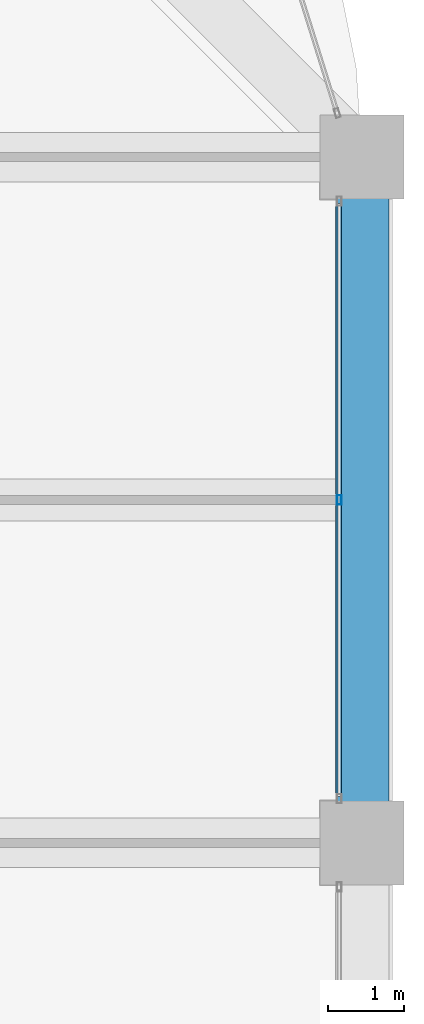
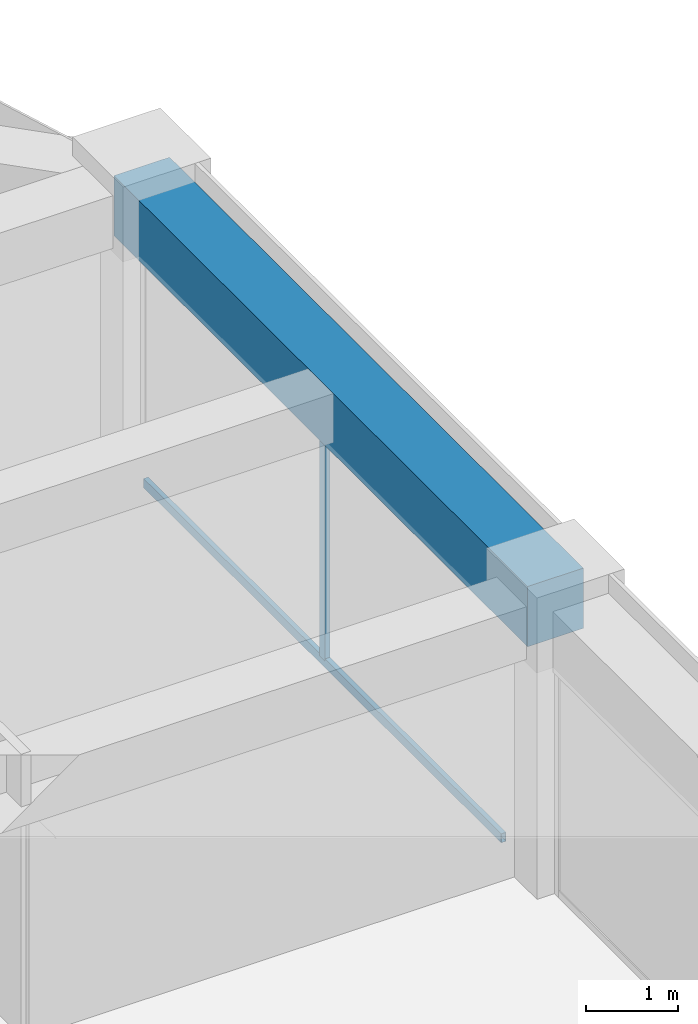
# One storey, part 27 of 44: 2 members, 1 beam, 1 element without a shape of its own.
"""IFC4 building model written with IfcOpenShell, lengths in metres."""

from ifc_helpers import new_model, si_unit, direction, frame, origin, origin_2d, place, context, subcontext, project, spatial, rectangle, hollow_rectangle, extrude, material, material_profile, profile_set, type_object, element, aggregate, save


model = new_model("IFC4")

# Units and contexts
model_context = context("Model", 3, precision=1e-05, world=origin(), true_north=direction((0.0, 1.0)))
body_context = subcontext(model_context, "Body", "Model", "MODEL_VIEW")
ifc_project = project(units=[si_unit("LENGTHUNIT", "METRE"), si_unit("AREAUNIT", "SQUARE_METRE"), si_unit("VOLUMEUNIT", "CUBIC_METRE"), si_unit("PLANEANGLEUNIT", "RADIAN"), si_unit("MASSUNIT", "GRAM", prefix="KILO")], contexts=[model_context])

# Site, building, storey
site_placement = place(None, origin())
site = spatial("IfcSite", under=ifc_project, at=site_placement, CompositionType="ELEMENT")
building_placement = place(site_placement, origin())
building = spatial("IfcBuilding", under=site, at=building_placement, Name="Zorevar Civic Tower", CompositionType="ELEMENT")
storey_placement = place(building_placement, frame((0.0, 0.0, 295.39990234375)))
storey = spatial("IfcBuildingStorey", under=building, at=storey_placement, Name="L72", CompositionType="ELEMENT", Elevation=295.39990234375)

# Curtain wall, members
ifc_material_1 = material(Name="Dark grey solar-control glass in black aluminium frame", Category="aluminium")
curtain_wall_type = type_object("IfcCurtainWallType", Name="Curtain wall CW5 top zone", PredefinedType="NOTDEFINED", material=ifc_material_1)
curtain_wall_placement = place(storey_placement, origin())
curtain_wall = element("IfcCurtainWall", 1, at=curtain_wall_placement, inside=storey, type_object=curtain_wall_type, Name="CW5 L72", PredefinedType="NOTDEFINED")
ifc_material_2 = material(Name="Aluminium, black anodised", Category="aluminium")
ifc_material_profile_1 = material_profile(ifc_material_2, hollow_rectangle(XDim=0.06005859375, YDim=0.1201171875, WallThickness=0.0029296875, at=origin_2d()), Name="AL 120x60x3")
ifc_profile_set_1 = profile_set([ifc_material_profile_1], Name="Aluminium, black anodised")
member_type_1 = type_object("IfcMemberType", Name="CW5 mullion AL 120x60x3", PredefinedType="MULLION", material=ifc_profile_set_1)
member_1_placement = place(storey_placement, frame((53.699951171875, 31.5, 0.06005859375), z_axis=(0.0, 0.0, 1.0), x_axis=(-1.0, 0.0, 0.0)))
member_1 = element("IfcMember", 2, at=member_1_placement, type_object=member_type_1, Name="CW5 mullion 2", PredefinedType="MULLION", context=body_context, shape_type="SweptSolid", body=[
    extrude(hollow_rectangle(XDim=0.06005859375, YDim=0.1201171875, WallThickness=0.0029296875, at=origin_2d()), origin(), (0.0, 0.0, 1.0), 2.89013671875),
])
ifc_material_3 = material(Name="Aluminium, black anodised", Category="aluminium")
ifc_material_profile_2 = material_profile(ifc_material_3, hollow_rectangle(XDim=0.06005859375, YDim=0.1201171875, WallThickness=0.0029296875, at=origin_2d()), Name="AL 120x60x3")
ifc_profile_set_2 = profile_set([ifc_material_profile_2], Name="Aluminium, black anodised")
member_type_2 = type_object("IfcMemberType", Name="CW5 transom AL 120x60x3", PredefinedType="USERDEFINED", material=ifc_profile_set_2)
member_2_placement = place(storey_placement, frame((53.699951171875, 27.610107421875, 0.030029296875), z_axis=(0.0, 1.0, 0.0), x_axis=(-1.0, 0.0, 0.0)))
member_2 = element("IfcMember", 3, at=member_2_placement, type_object=member_type_2, Name="CW5 sill transom", ObjectType="TRANSOM", PredefinedType="USERDEFINED", context=body_context, shape_type="SweptSolid", body=[
    extrude(hollow_rectangle(XDim=0.06005859375, YDim=0.1201171875, WallThickness=0.0029296875, at=origin_2d()), origin(), (0.0, 0.0, 1.0), 7.77978515625),
])
aggregate(curtain_wall, [member_1, member_2])

# Beam
ifc_material_4 = material(Name="Concrete C50/60", Category="concrete")
ifc_material_profile_3 = material_profile(ifc_material_4, rectangle(XDim=0.699951171875, YDim=0.800048828125, at=origin_2d()), Name="RC 700x800")
ifc_profile_set_3 = profile_set([ifc_material_profile_3], Name="Concrete C50/60")
beam_type = type_object("IfcBeamType", Name="Edge beam RC 700x800", PredefinedType="SPANDREL", material=ifc_profile_set_3)
beam_placement = place(storey_placement, frame((54.0, 27.0, 3.35009765625), z_axis=(0.0, 1.0, 0.0), x_axis=(-1.0, 0.0, 0.0)))
element("IfcBeam", 4, at=beam_placement, inside=storey, type_object=beam_type, Name="Edge beam L73", PredefinedType="SPANDREL", context=body_context, shape_type="SweptSolid", body=[
    extrude(rectangle(XDim=0.699951171875, YDim=0.800048828125, at=origin_2d()), origin(), (0.0, 0.0, 1.0), 9.0),
])

save(model, "model.ifc")
